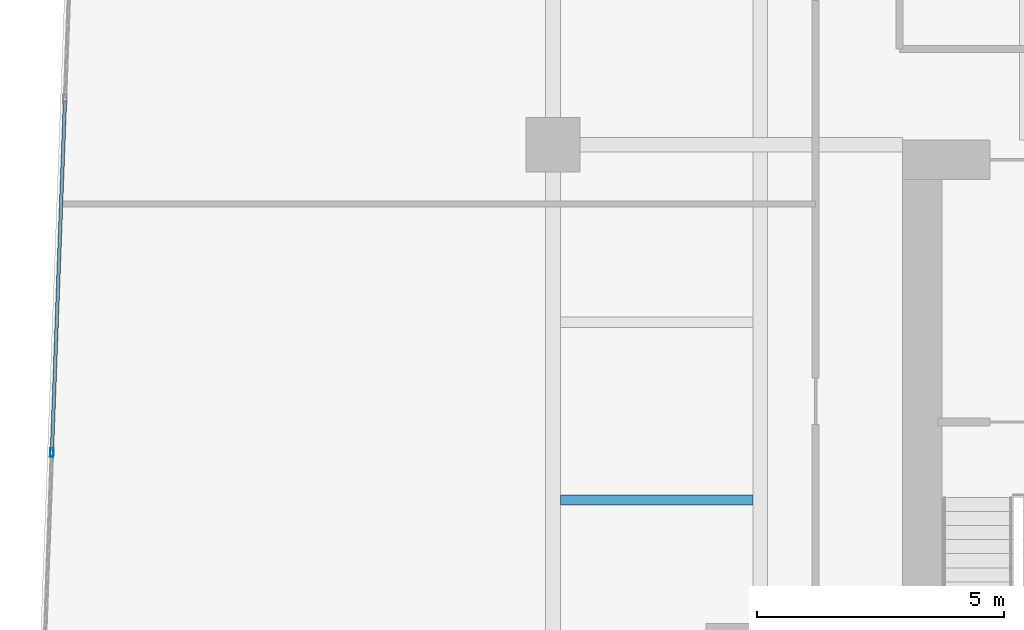
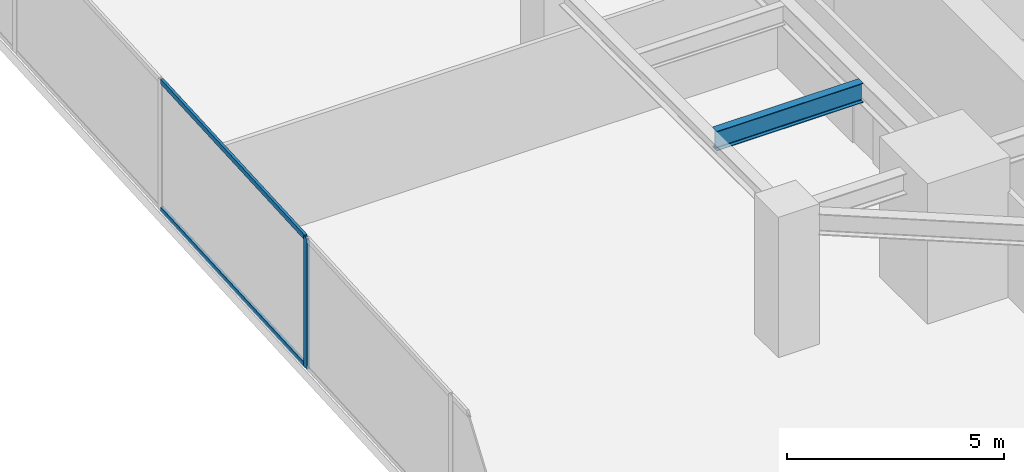
# One storey, part 8 of 30: 3 members, 1 beam, 1 element without a shape of its own.
"""IFC4 building model written with IfcOpenShell, lengths in metres."""

from ifc_helpers import new_model, si_unit, direction, frame, origin, origin_2d, place, context, subcontext, project, spatial, hollow_rectangle, i_section, extrude, source, transform, mapped, material, material_profile, profile_set, type_object, type_shapes, element, aggregate, save


model = new_model("IFC4")

# Units and contexts
model_context = context("Model", 3, precision=1e-05, world=origin(), true_north=direction((0.0, 1.0)))
body_context = subcontext(model_context, "Body", "Model", "MODEL_VIEW")
ifc_project = project(units=[si_unit("LENGTHUNIT", "METRE"), si_unit("AREAUNIT", "SQUARE_METRE"), si_unit("VOLUMEUNIT", "CUBIC_METRE"), si_unit("PLANEANGLEUNIT", "RADIAN"), si_unit("MASSUNIT", "GRAM", prefix="KILO")], contexts=[model_context])

# Site, building, storey
site_placement = place(None, origin())
site = spatial("IfcSite", under=ifc_project, at=site_placement, CompositionType="ELEMENT")
building_placement = place(site_placement, origin())
building = spatial("IfcBuilding", under=site, at=building_placement, Name="Krantzveldt Concourse Tower", CompositionType="ELEMENT")
storey_placement = place(building_placement, frame((0.0, 0.0, 44.75)))
storey = spatial("IfcBuildingStorey", under=building, at=storey_placement, Name="L10", CompositionType="ELEMENT", Elevation=44.75)

# Beam
ifc_material_1 = material(Name="Steel S355JR", Category="steel")
ifc_material_profile_1 = material_profile(ifc_material_1, i_section(OverallWidth=0.2099609375, OverallDepth=0.550048828125, WebThickness=0.010986328125, FlangeThickness=0.01708984375, FilletRadius=0.02392578125, at=origin_2d()), Name="Steel S355JR", Category="steel")
ifc_profile_set_1 = profile_set([ifc_material_profile_1], Name="Steel S355JR - IPE 550")
beam_type = type_object("IfcBeamType", Name="BM-J-IPE550", PredefinedType="JOIST", material=ifc_profile_set_1)
shared_shape_1 = source(origin(), body_context, "Body", "SweptSolid", [
    extrude(i_section(OverallWidth=0.2099609375, OverallDepth=0.550048828125, WebThickness=0.010986328125, FlangeThickness=0.01708984375, FilletRadius=0.02392578125, at=origin_2d()), origin(), (0.0, 0.0, 1.0), 3.900146484375),
])
type_shapes(beam_type, [shared_shape_1])
beam_placement = place(storey_placement, frame((21.14990234375, 19.5, 3.39501953125), z_axis=(1.0, 0.0, 0.0), x_axis=(0.0, 1.0, 0.0)))
element("IfcBeam", 1, at=beam_placement, inside=storey, type_object=beam_type, Name="L10 Secondary Floor Joist JW-1", PredefinedType="JOIST", context=body_context, shape_type="MappedRepresentation", body=[
    mapped(shared_shape_1, transform((0.0, 0.0, 0.0), x_axis=(1.0, 0.0, 0.0), y_axis=(0.0, 1.0, 0.0), z_axis=(0.0, 0.0, 1.0), scale=1.0)),
])

# Curtain wall, members
ifc_material_2 = material(Name="Anodised aluminium 6063-T6", Category="aluminium")
curtain_wall_type = type_object("IfcCurtainWallType", Name="CW2", PredefinedType="USERDEFINED", material=ifc_material_2)
curtain_wall_placement = place(storey_placement, origin())
curtain_wall = element("IfcCurtainWall", 2, at=curtain_wall_placement, inside=storey, type_object=curtain_wall_type, Name="CW-L10-F01", ObjectType="UNITISED CURTAIN WALL", PredefinedType="USERDEFINED")
ifc_material_profile_2 = material_profile(ifc_material_2, hollow_rectangle(XDim=0.070068359375, YDim=0.179931640625, WallThickness=0.0048828125, at=origin_2d()), Name="Anodised aluminium 6063-T6", Category="aluminium")
ifc_profile_set_2 = profile_set([ifc_material_profile_2], Name="Anodised aluminium 6063-T6 - ALU-MULL 180x70x5")
member_type_1 = type_object("IfcMemberType", Name="CW-MUL-180", PredefinedType="MULLION", material=ifc_profile_set_2)
shared_shape_2 = source(origin(), body_context, "Body", "SweptSolid", [
    extrude(hollow_rectangle(XDim=0.070068359375, YDim=0.179931640625, WallThickness=0.0048828125, at=origin_2d()), origin(), (0.0, 0.0, 1.0), 3.669921875),
])
type_shapes(member_type_1, [shared_shape_2])
member_1_placement = place(storey_placement, frame((10.84130859375, 20.4619140625, 0.0), z_axis=(0.0, 0.0, 1.0), x_axis=(0.999312308986, -0.037079766834, 0.0)))
member_1 = element("IfcMember", 3, at=member_1_placement, type_object=member_type_1, Name="CW-Z12 mullion 5", PredefinedType="MULLION", context=body_context, shape_type="MappedRepresentation", body=[
    mapped(shared_shape_2, transform((0.0, 0.0, 0.0), x_axis=(1.0, 0.0, 0.0), y_axis=(0.0, 1.0, 0.0), z_axis=(0.0, 0.0, 1.0), scale=1.0)),
])
ifc_material_profile_3 = material_profile(ifc_material_2, hollow_rectangle(XDim=0.070068359375, YDim=0.139892578125, WallThickness=0.0048828125, at=origin_2d()), Name="Anodised aluminium 6063-T6", Category="aluminium")
ifc_profile_set_3 = profile_set([ifc_material_profile_3], Name="Anodised aluminium 6063-T6 - ALU-TRAN 140x70x5")
member_type_2 = type_object("IfcMemberType", Name="CW-TRN-150", PredefinedType="USERDEFINED", material=ifc_profile_set_3)
shared_shape_3 = source(origin(), body_context, "Body", "SweptSolid", [
    extrude(hollow_rectangle(XDim=0.070068359375, YDim=0.139892578125, WallThickness=0.0048828125, at=origin_2d()), origin(), (0.0, 0.0, 1.0), 7.0966796875),
])
type_shapes(member_type_2, [shared_shape_3])
member_2_placement = place(storey_placement, frame((11.10595703125, 27.588623046875, 0.034912109375), z_axis=(-0.037085459975, -0.999312097724, 0.0), x_axis=(0.999312097724, -0.037085459975, 0.0)))
member_2 = element("IfcMember", 4, at=member_2_placement, type_object=member_type_2, Name="CW-Z12 transom 4.1", ObjectType="TRANSOM", PredefinedType="USERDEFINED", context=body_context, shape_type="MappedRepresentation", body=[
    mapped(shared_shape_3, transform((0.0, 0.0, 0.0), x_axis=(1.0, 0.0, 0.0), y_axis=(0.0, 1.0, 0.0), z_axis=(0.0, 0.0, 1.0), scale=1.0)),
])
member_3_placement = place(storey_placement, frame((11.10595703125, 27.588623046875, 3.635009765625), z_axis=(-0.037085459975, -0.999312097724, 0.0), x_axis=(0.999312097724, -0.037085459975, 0.0)))
member_3 = element("IfcMember", 5, at=member_3_placement, type_object=member_type_2, Name="CW-Z12 transom 4.2", ObjectType="TRANSOM", PredefinedType="USERDEFINED", context=body_context, shape_type="MappedRepresentation", body=[
    mapped(shared_shape_3, transform((0.0, 0.0, 0.0), x_axis=(1.0, 0.0, 0.0), y_axis=(0.0, 1.0, 0.0), z_axis=(0.0, 0.0, 1.0), scale=1.0)),
])
aggregate(curtain_wall, [member_1, member_2, member_3])

save(model, "model.ifc")
